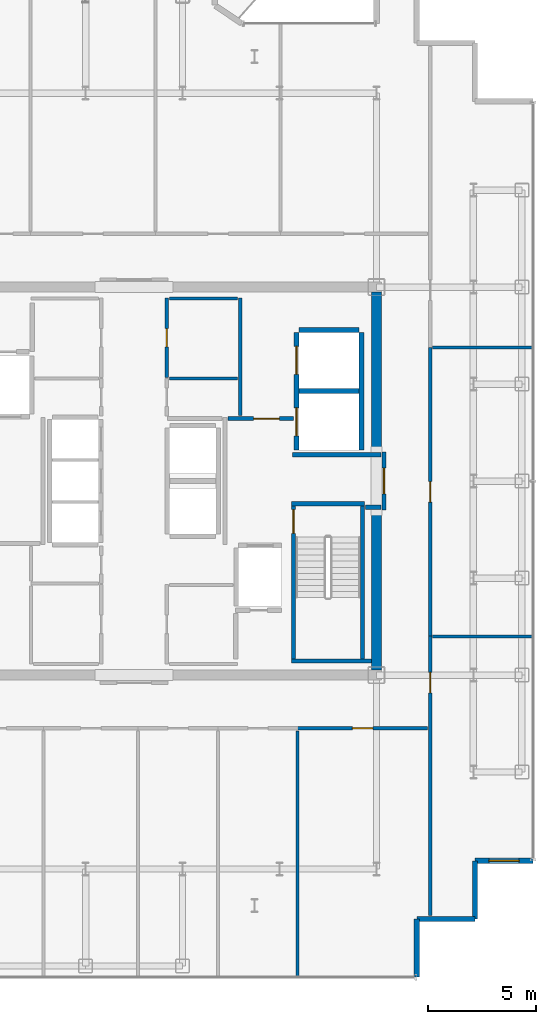
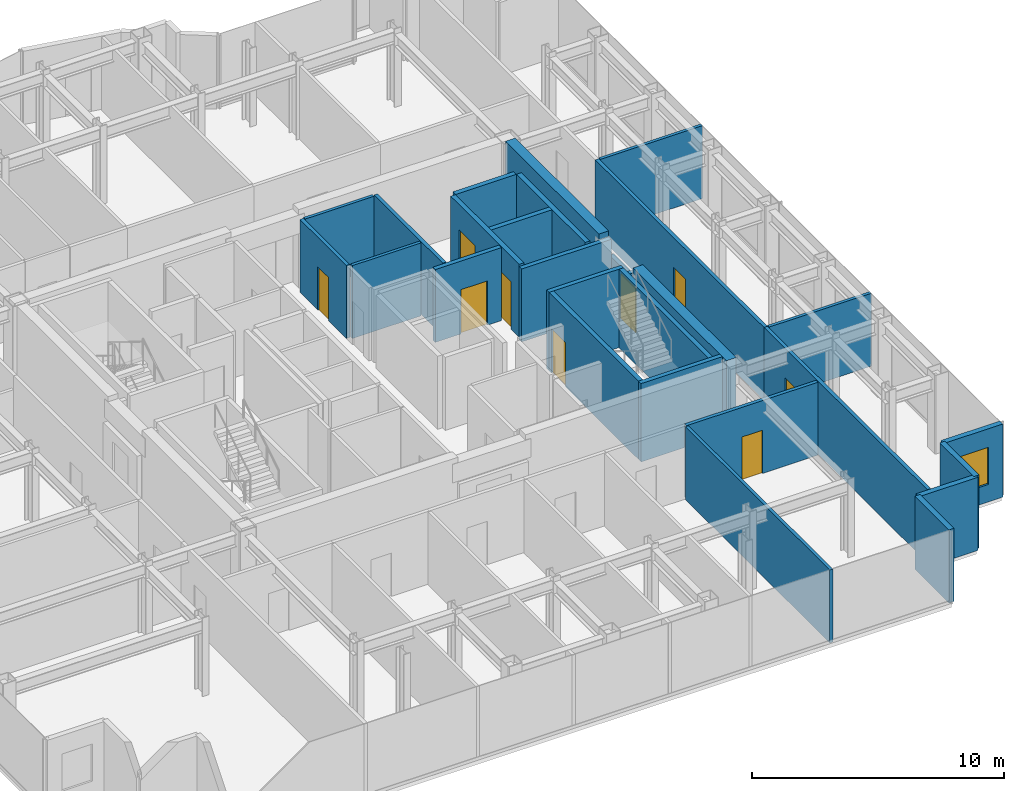
# One storey, part 15 of 18: 28 walls, 9 doors, 1 window, 10 openings.
"""IFC4 building model written with IfcOpenShell, lengths in metres."""

from ifc_helpers import new_model, si_unit, direction, frame, frame_2d, origin, place, context, subcontext, project, spatial, rectangle, extrude, source, transform, mapped, material, layer, layer_set, type_object, element, fill, save


model = new_model("IFC4")

# Units and contexts
model_context = context("Model", 3, precision=1e-05, world=origin(), true_north=direction((0.0, 1.0)))
body_context = subcontext(model_context, "Body", "Model", "MODEL_VIEW")
ifc_project = project(units=[si_unit("LENGTHUNIT", "METRE"), si_unit("AREAUNIT", "SQUARE_METRE"), si_unit("VOLUMEUNIT", "CUBIC_METRE"), si_unit("PLANEANGLEUNIT", "RADIAN"), si_unit("MASSUNIT", "GRAM", prefix="KILO")], contexts=[model_context])

# Site, building, storey
site_placement = place(None, origin())
site = spatial("IfcSite", under=ifc_project, at=site_placement, CompositionType="ELEMENT")
building_placement = place(site_placement, origin())
building = spatial("IfcBuilding", under=site, at=building_placement, Name="Nefas-Gora Pilgrimage Tower", CompositionType="ELEMENT")
storey_placement = place(building_placement, frame((0.0, 0.0, 283.60009765625)))
storey = spatial("IfcBuildingStorey", under=building, at=storey_placement, Name="L71", CompositionType="ELEMENT", Elevation=283.60009765625)

# Walls
ifc_material_1 = material(Name="Concrete C50/60", Category="concrete")
ifc_layer_1 = layer(ifc_material_1, 0.449951171875)
ifc_layer_set_1 = layer_set([ifc_layer_1], Name="Concrete C50/60")
wall_type_1 = type_object("IfcWallType", Name="SW-CORE-450", PredefinedType="SHEAR", material=ifc_layer_set_1)
shared_shape_1 = source(origin(), body_context, "Body", "SweptSolid", [
    extrude(rectangle(XDim=7.4248046875, YDim=0.449951171875, at=frame_2d((3.71240234375, 0.0))), origin(), (0.0, 0.0, 1.0), 3.7998046875),
])
for number, where, z_axis, x_axis, name in (
    (1, (11.25, -8.77490234375, 0.0), (0.0, 0.0, 1.0), (0.0, 1.0, 0.0), "L71 Core Shear Wall E-South"),
    (2, (11.25, 1.35009765625, 0.0), (0.0, 0.0, 1.0), (0.0, 1.0, 0.0), "L71 Core Shear Wall E-North"),
):
    element("IfcWall", number, at=place(storey_placement, frame(where, z_axis=z_axis, x_axis=x_axis)), inside=storey, type_object=wall_type_1, Name=name, PredefinedType="SHEAR", context=body_context, shape_type="MappedRepresentation", body=[
        mapped(shared_shape_1, transform((0.0, 0.0, 0.0), x_axis=(1.0, 0.0, 0.0), y_axis=(0.0, 1.0, 0.0), z_axis=(0.0, 0.0, 1.0), scale=1.0)),
    ])

# Wall, opening, window
ifc_material_2 = material(Name="Precast concrete C45/55", Category="concrete")
ifc_layer_2 = layer(ifc_material_2, 0.239990234375)
ifc_layer_set_2 = layer_set([ifc_layer_2], Name="Precast concrete C45/55")
wall_type_2 = type_object("IfcWallType", Name="EW-SERR-240", PredefinedType="SHEAR", material=ifc_layer_set_2)
shared_shape_2 = source(origin(), body_context, "Body", "SweptSolid", [
    extrude(rectangle(XDim=2.699951171875, YDim=0.239990234375, at=frame_2d((1.35009765625, 0.0))), origin(), (0.0, 0.0, 1.0), 3.5498046875),
])
wall_1_placement = place(storey_placement, frame((15.820068359375, -17.6201171875, 0.0), z_axis=(0.0, 0.0, 1.0), x_axis=(1.0, 0.0, 0.0)))
wall_1 = element("IfcWall", 3, at=wall_1_placement, inside=storey, type_object=wall_type_2, Name="L71 Serrated Corner Shear Pier Wall 1", PredefinedType="SHEAR", context=body_context, shape_type="MappedRepresentation", body=[
    mapped(shared_shape_2, transform((0.0, 0.0, 0.0), x_axis=(1.0, 0.0, 0.0), y_axis=(0.0, 1.0, 0.0), z_axis=(0.0, 0.0, 1.0), scale=1.0)),
])
opening_1_placement = place(wall_1_placement, frame((0.64990234375, 0.0, 0.85009765625)))
opening_1 = element("IfcOpeningElement", 4, at=opening_1_placement, cuts=wall_1, Name="Opening W-V2", PredefinedType="OPENING", context=body_context, shape_type="SweptSolid", body=[
    extrude(rectangle(XDim=1.39990234375, YDim=1.800048828125, at=frame_2d((0.699951171875, 0.89990234375))), frame((0.0, 0.1298828125, 0.0), z_axis=(0.0, -1.0, 0.0), x_axis=(1.0, 0.0, 0.0)), (0.0, 0.0, 1.0), 0.260009765625),
])
ifc_material_3 = material(Name="Dark ceramic-fritted operable aluminium-glass window", Category="aluminium")
window_type = type_object("IfcWindowType", Name="WIN-VENT-1400x1800", PartitioningType="SINGLE_PANEL", PredefinedType="WINDOW", material=ifc_material_3)
shared_shape_3 = source(origin(), body_context, "Body", "SweptSolid", [
    extrude(rectangle(XDim=1.39990234375, YDim=1.800048828125, at=frame_2d((0.699951171875, 0.89990234375))), frame((0.0, 0.030029296875, 0.0), z_axis=(0.0, -1.0, 0.0), x_axis=(1.0, 0.0, 0.0)), (0.0, 0.0, 1.0), 0.06005859375),
])
window_placement = place(opening_1_placement, origin())
window = element("IfcWindow", 5, at=window_placement, inside=storey, type_object=window_type, Name="L71 Operable Parallel-Outswing Window 1", OverallHeight=1.800048828125, OverallWidth=1.39990234375, PartitioningType="SINGLE_PANEL", PredefinedType="WINDOW", context=body_context, shape_type="MappedRepresentation", body=[
    mapped(shared_shape_3, transform((0.0, 0.0, 0.0), x_axis=(1.0, 0.0, 0.0), y_axis=(0.0, 1.0, 0.0), z_axis=(0.0, 0.0, 1.0), scale=1.0)),
])
fill(opening_1, window)

# Walls
for number, where, z_axis, x_axis, name in (
    (6, (13.1201171875, -23.02001953125, 0.0), (0.0, 0.0, 1.0), (0.0, 1.0, 0.0), "L71 Serrated Corner Shear Pier Wall 25"),
    (7, (13.1201171875, -20.320068359375, 0.0), (0.0, 0.0, 1.0), (1.0, 0.0, 0.0), "L71 Serrated Corner Shear Pier Wall 26"),
    (8, (15.820068359375, -20.320068359375, 0.0), (0.0, 0.0, 1.0), (0.0, 1.0, 0.0), "L71 Serrated Corner Shear Pier Wall 27"),
):
    element("IfcWall", number, at=place(storey_placement, frame(where, z_axis=z_axis, x_axis=x_axis)), inside=storey, type_object=wall_type_2, Name=name, PredefinedType="SHEAR", context=body_context, shape_type="MappedRepresentation", body=[
        mapped(shared_shape_2, transform((0.0, 0.0, 0.0), x_axis=(1.0, 0.0, 0.0), y_axis=(0.0, 1.0, 0.0), z_axis=(0.0, 0.0, 1.0), scale=1.0)),
    ])
ifc_material_4 = material(Name="Concrete C45/55", Category="concrete")
ifc_layer_3 = layer(ifc_material_4, 0.199951171875)
ifc_layer_set_3 = layer_set([ifc_layer_3], Name="Concrete C45/55")
wall_type_3 = type_object("IfcWallType", Name="IW-STAIR-200", PredefinedType="SOLIDWALL", material=ifc_layer_set_3)
shared_shape_4 = source(origin(), body_context, "Body", "SweptSolid", [
    extrude(rectangle(XDim=3.39990234375, YDim=0.199951171875, at=frame_2d((1.699951171875, 0.0))), origin(), (0.0, 0.0, 1.0), 3.7998046875),
])
wall_2_placement = place(storey_placement, frame((7.300048828125, -1.050048828125, 0.0), z_axis=(0.0, 0.0, 1.0), x_axis=(1.0, 0.0, 0.0)))
element("IfcWall", 9, at=wall_2_placement, inside=storey, type_object=wall_type_3, Name="L71 Stairwell Shear Wall ST-02-near", PredefinedType="SOLIDWALL", context=body_context, shape_type="MappedRepresentation", body=[
    mapped(shared_shape_4, transform((0.0, 0.0, 0.0), x_axis=(1.0, 0.0, 0.0), y_axis=(0.0, 1.0, 0.0), z_axis=(0.0, 0.0, 1.0), scale=1.0)),
])

# Wall, opening, door
shared_shape_5 = source(origin(), body_context, "Body", "SweptSolid", [
    extrude(rectangle(XDim=7.10009765625, YDim=0.199951171875, at=frame_2d((3.550048828125, 0.0))), origin(), (0.0, 0.0, 1.0), 3.7998046875),
])
wall_3_placement = place(storey_placement, frame((7.39990234375, -1.14990234375, 0.0), z_axis=(0.0, 0.0, 1.0), x_axis=(0.0, -1.0, 0.0)))
wall_3 = element("IfcWall", 10, at=wall_3_placement, inside=storey, type_object=wall_type_3, Name="L71 Stairwell Shear Wall ST-02-left", PredefinedType="SOLIDWALL", context=body_context, shape_type="MappedRepresentation", body=[
    mapped(shared_shape_5, transform((0.0, 0.0, 0.0), x_axis=(1.0, 0.0, 0.0), y_axis=(0.0, 1.0, 0.0), z_axis=(0.0, 0.0, 1.0), scale=1.0)),
])
opening_2_placement = place(wall_3_placement, frame((0.179931640625, 0.0, 0.0)))
opening_2 = element("IfcOpeningElement", 11, at=opening_2_placement, cuts=wall_3, Name="Opening ID-ST1", PredefinedType="OPENING", context=body_context, shape_type="SweptSolid", body=[
    extrude(rectangle(XDim=1.10009765625, YDim=2.14990234375, at=frame_2d((0.550048828125, 1.074951171875))), frame((0.0, 0.10986328125, 0.0), z_axis=(0.0, -1.0, 0.0), x_axis=(1.0, 0.0, 0.0)), (0.0, 0.0, 1.0), 0.219970703125),
])
ifc_material_5 = material(Name="Painted galvanised steel fire stair door", Category="steel")
door_type_1 = type_object("IfcDoorType", Name="DR-INT-STAIR-1100", OperationType="NOTDEFINED", PredefinedType="DOOR", material=ifc_material_5)
shared_shape_6 = source(origin(), body_context, "Body", "SweptSolid", [
    extrude(rectangle(XDim=1.10009765625, YDim=2.14990234375, at=frame_2d((0.550048828125, 1.074951171875))), frame((0.0, 0.02490234375, 0.0), z_axis=(0.0, -1.0, 0.0), x_axis=(1.0, 0.0, 0.0)), (0.0, 0.0, 1.0), 0.050048828125),
])
door_1_placement = place(opening_2_placement, origin())
door_1 = element("IfcDoor", 12, at=door_1_placement, inside=storey, type_object=door_type_1, Name="L71 Protected Exit Stair Door ST-02", OperationType="SINGLE_SWING_RIGHT", OverallHeight=2.14990234375, OverallWidth=1.10009765625, PredefinedType="DOOR", context=body_context, shape_type="MappedRepresentation", body=[
    mapped(shared_shape_6, transform((0.0, 0.0, 0.0), x_axis=(1.0, 0.0, 0.0), y_axis=(0.0, 1.0, 0.0), z_axis=(0.0, 0.0, 1.0), scale=1.0)),
])
fill(opening_2, door_1)

# Walls
wall_4_placement = place(storey_placement, frame((10.60009765625, -1.14990234375, 0.0), z_axis=(0.0, 0.0, 1.0), x_axis=(0.0, -1.0, 0.0)))
element("IfcWall", 13, at=wall_4_placement, inside=storey, type_object=wall_type_3, Name="L71 Stairwell Shear Wall ST-02-right", PredefinedType="SOLIDWALL", context=body_context, shape_type="MappedRepresentation", body=[
    mapped(shared_shape_5, transform((0.0, 0.0, 0.0), x_axis=(1.0, 0.0, 0.0), y_axis=(0.0, 1.0, 0.0), z_axis=(0.0, 0.0, 1.0), scale=1.0)),
])
shared_shape_7 = source(origin(), body_context, "Body", "SweptSolid", [
    extrude(rectangle(XDim=3.72998046875, YDim=0.199951171875, at=frame_2d((1.864990234375, 0.0))), origin(), (0.0, 0.0, 1.0), 3.7998046875),
])
wall_5_placement = place(storey_placement, frame((7.300048828125, -8.35009765625, 0.0), z_axis=(0.0, 0.0, 1.0), x_axis=(1.0, 0.0, 0.0)))
element("IfcWall", 14, at=wall_5_placement, inside=storey, type_object=wall_type_3, Name="L71 Stairwell Shear Wall ST-02-far", PredefinedType="SOLIDWALL", context=body_context, shape_type="MappedRepresentation", body=[
    mapped(shared_shape_7, transform((0.0, 0.0, 0.0), x_axis=(1.0, 0.0, 0.0), y_axis=(0.0, 1.0, 0.0), z_axis=(0.0, 0.0, 1.0), scale=1.0)),
])

# Wall, openings, doors
ifc_material_6 = material(Name="Concrete C40/50", Category="concrete")
ifc_layer_4 = layer(ifc_material_6, 0.219970703125)
ifc_layer_set_4 = layer_set([ifc_layer_4], Name="Concrete C40/50")
wall_type_4 = type_object("IfcWallType", Name="IW-SHAFT-220", PredefinedType="SOLIDWALL", material=ifc_layer_set_4)
shared_shape_8 = source(origin(), body_context, "Body", "SweptSolid", [
    extrude(rectangle(XDim=5.449951171875, YDim=0.219970703125, at=frame_2d((2.72509765625, 0.0))), origin(), (0.0, 0.0, 1.0), 3.534912109375),
])
wall_6_placement = place(storey_placement, frame((7.5400390625, 6.89990234375, 0.0), z_axis=(0.0, 0.0, 1.0), x_axis=(0.0, -1.0, 0.0)))
wall_6 = element("IfcWall", 15, at=wall_6_placement, inside=storey, type_object=wall_type_4, Name="L71 Hoistway Wall SL-01-02-W", PredefinedType="SOLIDWALL", context=body_context, shape_type="MappedRepresentation", body=[
    mapped(shared_shape_8, transform((0.0, 0.0, 0.0), x_axis=(1.0, 0.0, 0.0), y_axis=(0.0, 1.0, 0.0), z_axis=(0.0, 0.0, 1.0), scale=1.0)),
])
opening_3_placement = place(wall_6_placement, frame((3.5, 0.0, 0.0)))
opening_3 = element("IfcOpeningElement", 16, at=opening_3_placement, cuts=wall_6, Name="Opening LD-SV", PredefinedType="OPENING", context=body_context, shape_type="SweptSolid", body=[
    extrude(rectangle(XDim=1.300048828125, YDim=2.300048828125, at=frame_2d((0.64990234375, 1.14990234375))), frame((0.0, 0.119873046875, 0.0), z_axis=(0.0, -1.0, 0.0), x_axis=(1.0, 0.0, 0.0)), (0.0, 0.0, 1.0), 0.239990234375),
])
opening_4_placement = place(wall_6_placement, frame((0.64990234375, 0.0, 0.0)))
opening_4 = element("IfcOpeningElement", 17, at=opening_4_placement, cuts=wall_6, Name="Opening LD-SV", PredefinedType="OPENING", context=body_context, shape_type="SweptSolid", body=[
    extrude(rectangle(XDim=1.300048828125, YDim=2.300048828125, at=frame_2d((0.64990234375, 1.14990234375))), frame((0.0, 0.119873046875, 0.0), z_axis=(0.0, -1.0, 0.0), x_axis=(1.0, 0.0, 0.0)), (0.0, 0.0, 1.0), 0.239990234375),
])
ifc_material_7 = material(Name="Heavy goods sliding lift landing door")
door_type_2 = type_object("IfcDoorType", Name="DR-LIFT-SERV-1300", OperationType="SLIDING_TO_RIGHT", PredefinedType="DOOR", material=ifc_material_7)
shared_shape_9 = source(origin(), body_context, "Body", "SweptSolid", [
    extrude(rectangle(XDim=1.300048828125, YDim=2.300048828125, at=frame_2d((0.64990234375, 1.14990234375))), frame((0.0, 0.02490234375, 0.0), z_axis=(0.0, -1.0, 0.0), x_axis=(1.0, 0.0, 0.0)), (0.0, 0.0, 1.0), 0.050048828125),
])
door_2_placement = place(opening_3_placement, origin())
door_2 = element("IfcDoor", 18, at=door_2_placement, inside=storey, type_object=door_type_2, Name="L71 Sliding Lift Landing Door SL-01", OperationType="SLIDING_TO_RIGHT", OverallHeight=2.300048828125, OverallWidth=1.300048828125, PredefinedType="DOOR", context=body_context, shape_type="MappedRepresentation", body=[
    mapped(shared_shape_9, transform((0.0, 0.0, 0.0), x_axis=(1.0, 0.0, 0.0), y_axis=(0.0, 1.0, 0.0), z_axis=(0.0, 0.0, 1.0), scale=1.0)),
])
fill(opening_3, door_2)
door_3_placement = place(opening_4_placement, origin())
door_3 = element("IfcDoor", 19, at=door_3_placement, inside=storey, type_object=door_type_2, Name="L71 Sliding Lift Landing Door SL-02", OperationType="SLIDING_TO_RIGHT", OverallHeight=2.300048828125, OverallWidth=1.300048828125, PredefinedType="DOOR", context=body_context, shape_type="MappedRepresentation", body=[
    mapped(shared_shape_9, transform((0.0, 0.0, 0.0), x_axis=(1.0, 0.0, 0.0), y_axis=(0.0, 1.0, 0.0), z_axis=(0.0, 0.0, 1.0), scale=1.0)),
])
fill(opening_4, door_3)

# Walls
wall_7_placement = place(storey_placement, frame((10.56005859375, 1.449951171875, 0.0), z_axis=(0.0, 0.0, 1.0), x_axis=(0.0, 1.0, 0.0)))
element("IfcWall", 20, at=wall_7_placement, inside=storey, type_object=wall_type_4, Name="L71 Hoistway Wall SL-01-02-E", PredefinedType="SOLIDWALL", context=body_context, shape_type="MappedRepresentation", body=[
    mapped(shared_shape_8, transform((0.0, 0.0, 0.0), x_axis=(1.0, 0.0, 0.0), y_axis=(0.0, 1.0, 0.0), z_axis=(0.0, 0.0, 1.0), scale=1.0)),
])
shared_shape_10 = source(origin(), body_context, "Body", "SweptSolid", [
    extrude(rectangle(XDim=2.780029296875, YDim=0.219970703125, at=frame_2d((1.39013671875, 0.0))), origin(), (0.0, 0.0, 1.0), 3.534912109375),
])
for number, where, z_axis, x_axis, name in (
    (21, (7.659912109375, 4.175048828125, 0.0), (0.0, 0.0, 1.0), (1.0, 0.0, 0.0), "L71 Hoistway Wall SL-01-02-DIV"),
    (22, (10.43994140625, 7.010009765625, 0.0), (0.0, 0.0, 1.0), (-1.0, 0.0, 0.0), "L71 Hoistway Wall SL-02-N"),
):
    element("IfcWall", number, at=place(storey_placement, frame(where, z_axis=z_axis, x_axis=x_axis)), inside=storey, type_object=wall_type_4, Name=name, PredefinedType="SOLIDWALL", context=body_context, shape_type="MappedRepresentation", body=[
        mapped(shared_shape_10, transform((0.0, 0.0, 0.0), x_axis=(1.0, 0.0, 0.0), y_axis=(0.0, 1.0, 0.0), z_axis=(0.0, 0.0, 1.0), scale=1.0)),
    ])
ifc_material_8 = material(Name="Gypsum fire-rated shaftwall")
ifc_layer_5 = layer(ifc_material_8, 0.199951171875)
ifc_layer_set_5 = layer_set([ifc_layer_5], Name="Gypsum fire-rated shaftwall")
wall_type_5 = type_object("IfcWallType", Name="IW-FFLOB-200", PredefinedType="PARTITIONING", material=ifc_layer_set_5)
shared_shape_11 = source(origin(), body_context, "Body", "SweptSolid", [
    extrude(rectangle(XDim=0.719970703125, YDim=0.199951171875, at=frame_2d((0.35986328125, 0.0))), origin(), (0.0, 0.0, 1.0), 3.534912109375),
])
wall_8_placement = place(storey_placement, frame((10.739990234375, -1.219970703125, 0.0), z_axis=(0.0, 0.0, 1.0), x_axis=(1.0, 0.0, 0.0)))
element("IfcWall", 23, at=wall_8_placement, inside=storey, type_object=wall_type_5, Name="L71 FF Lobby East Throat S Wall 15", PredefinedType="PARTITIONING", context=body_context, shape_type="MappedRepresentation", body=[
    mapped(shared_shape_11, transform((0.0, 0.0, 0.0), x_axis=(1.0, 0.0, 0.0), y_axis=(0.0, 1.0, 0.0), z_axis=(0.0, 0.0, 1.0), scale=1.0)),
])

# Wall, opening, door
shared_shape_12 = source(origin(), body_context, "Body", "SweptSolid", [
    extrude(rectangle(XDim=3.039794921875, YDim=0.199951171875, at=frame_2d((1.52001953125, 0.0))), origin(), (0.0, 0.0, 1.0), 3.534912109375),
])
wall_9_placement = place(storey_placement, frame((4.360107421875, 2.89990234375, 0.0), z_axis=(0.0, 0.0, 1.0), x_axis=(1.0, 0.0, 0.0)))
wall_9 = element("IfcWall", 24, at=wall_9_placement, inside=storey, type_object=wall_type_5, Name="L71 FF Lobby East North Wall Wall 13", PredefinedType="PARTITIONING", context=body_context, shape_type="MappedRepresentation", body=[
    mapped(shared_shape_12, transform((0.0, 0.0, 0.0), x_axis=(1.0, 0.0, 0.0), y_axis=(0.0, 1.0, 0.0), z_axis=(0.0, 0.0, 1.0), scale=1.0)),
])
opening_5_placement = place(wall_9_placement, frame((1.18994140625, 0.0, 0.0)))
opening_5 = element("IfcOpeningElement", 25, at=opening_5_placement, cuts=wall_9, Name="Opening ID-PL1", PredefinedType="OPENING", context=body_context, shape_type="SweptSolid", body=[
    extrude(rectangle(XDim=1.199951171875, YDim=2.14990234375, at=frame_2d((0.60009765625, 1.074951171875))), frame((0.0, 0.10986328125, 0.0), z_axis=(0.0, -1.0, 0.0), x_axis=(1.0, 0.0, 0.0)), (0.0, 0.0, 1.0), 0.219970703125),
])
ifc_material_9 = material(Name="Heavy-duty steel plant room fire door", Category="steel")
door_type_3 = type_object("IfcDoorType", Name="DR-INT-PLANT-1200", OperationType="NOTDEFINED", PredefinedType="DOOR", material=ifc_material_9)
shared_shape_13 = source(origin(), body_context, "Body", "SweptSolid", [
    extrude(rectangle(XDim=1.199951171875, YDim=2.14990234375, at=frame_2d((0.60009765625, 1.074951171875))), frame((0.0, 0.02490234375, 0.0), z_axis=(0.0, -1.0, 0.0), x_axis=(1.0, 0.0, 0.0)), (0.0, 0.0, 1.0), 0.050048828125),
])
door_4_placement = place(opening_5_placement, origin())
door_4 = element("IfcDoor", 26, at=door_4_placement, inside=storey, type_object=door_type_3, Name="L71 Service Lift Lobby Door Door 5", OperationType="SINGLE_SWING_LEFT", OverallHeight=2.14990234375, OverallWidth=1.199951171875, PredefinedType="DOOR", context=body_context, shape_type="MappedRepresentation", body=[
    mapped(shared_shape_13, transform((0.0, 0.0, 0.0), x_axis=(1.0, 0.0, 0.0), y_axis=(0.0, 1.0, 0.0), z_axis=(0.0, 0.0, 1.0), scale=1.0)),
])
fill(opening_5, door_4)

# Walls
shared_shape_14 = source(origin(), body_context, "Body", "SweptSolid", [
    extrude(rectangle(XDim=4.10986328125, YDim=0.199951171875, at=frame_2d((2.054931640625, 0.0))), origin(), (0.0, 0.0, 1.0), 3.534912109375),
])
wall_10_placement = place(storey_placement, frame((7.35009765625, 1.219970703125, 0.0), z_axis=(0.0, 0.0, 1.0), x_axis=(1.0, 0.0, 0.0)))
element("IfcWall", 27, at=wall_10_placement, inside=storey, type_object=wall_type_5, Name="L71 FF Lobby East Throat N Wall 14", PredefinedType="PARTITIONING", context=body_context, shape_type="MappedRepresentation", body=[
    mapped(shared_shape_14, transform((0.0, 0.0, 0.0), x_axis=(1.0, 0.0, 0.0), y_axis=(0.0, 1.0, 0.0), z_axis=(0.0, 0.0, 1.0), scale=1.0)),
])
ifc_material_10 = material(Name="Gypsum twin-stud partition")
ifc_layer_6 = layer(ifc_material_10, 0.139892578125)
ifc_layer_set_6 = layer_set([ifc_layer_6], Name="Gypsum twin-stud partition")
wall_type_6 = type_object("IfcWallType", Name="IW-UNIT-140", PredefinedType="PARTITIONING", material=ifc_layer_set_6)
shared_shape_15 = source(origin(), body_context, "Body", "SweptSolid", [
    extrude(rectangle(XDim=3.150146484375, YDim=0.139892578125, at=frame_2d((1.5751953125, 0.0))), origin(), (0.0, 0.0, 1.0), 3.534912109375),
])
for number, where, z_axis, x_axis, name in (
    (28, (1.639892578125, 4.75, 0.0), (0.0, 0.0, 1.0), (1.0, 0.0, 0.0), "L71 Clean Blanket and Robe Store Partition Wall 24"),
    (29, (1.639892578125, 8.47998046875, 0.0), (0.0, 0.0, 1.0), (1.0, 0.0, 0.0), "L71 Amenity Supply Store Partition Wall 26"),
):
    element("IfcWall", number, at=place(storey_placement, frame(where, z_axis=z_axis, x_axis=x_axis)), inside=storey, type_object=wall_type_6, Name=name, PredefinedType="PARTITIONING", context=body_context, shape_type="MappedRepresentation", body=[
        mapped(shared_shape_15, transform((0.0, 0.0, 0.0), x_axis=(1.0, 0.0, 0.0), y_axis=(0.0, 1.0, 0.0), z_axis=(0.0, 0.0, 1.0), scale=1.0)),
    ])

# Wall, opening, door
ifc_material_11 = material(Name="Gypsum acoustic stud partition")
ifc_layer_7 = layer(ifc_material_11, 0.159912109375)
ifc_layer_set_7 = layer_set([ifc_layer_7], Name="Gypsum acoustic stud partition")
wall_type_7 = type_object("IfcWallType", Name="IW-CORR-160", PredefinedType="PARTITIONING", material=ifc_layer_set_7)
shared_shape_16 = source(origin(), body_context, "Body", "SweptSolid", [
    extrude(rectangle(XDim=6.025146484375, YDim=0.159912109375, at=frame_2d((3.0126953125, 0.0))), origin(), (0.0, 0.0, 1.0), 3.534912109375),
])
wall_11_placement = place(storey_placement, frame((7.594970703125, -11.469970703125, 0.0), z_axis=(0.0, 0.0, 1.0), x_axis=(1.0, 0.0, 0.0)))
wall_11 = element("IfcWall", 30, at=wall_11_placement, inside=storey, type_object=wall_type_7, Name="L71 Pilgrim Contemplative Lounge Partition Wall 71", PredefinedType="PARTITIONING", context=body_context, shape_type="MappedRepresentation", body=[
    mapped(shared_shape_16, transform((0.0, 0.0, 0.0), x_axis=(1.0, 0.0, 0.0), y_axis=(0.0, 1.0, 0.0), z_axis=(0.0, 0.0, 1.0), scale=1.0)),
])
opening_6_placement = place(wall_11_placement, frame((2.53759765625, 0.0, 0.0)))
opening_6 = element("IfcOpeningElement", 31, at=opening_6_placement, cuts=wall_11, Name="Opening ID-GR1", PredefinedType="OPENING", context=body_context, shape_type="SweptSolid", body=[
    extrude(rectangle(XDim=0.949951171875, YDim=2.10009765625, at=frame_2d((0.47509765625, 1.050048828125))), frame((0.0, 0.08984375, 0.0), z_axis=(0.0, -1.0, 0.0), x_axis=(1.0, 0.0, 0.0)), (0.0, 0.0, 1.0), 0.179931640625),
])
ifc_material_12 = material(Name="Solid core oak fire-rated guest entrance door")
door_type_4 = type_object("IfcDoorType", Name="DR-INT-GUEST-950", OperationType="NOTDEFINED", PredefinedType="DOOR", material=ifc_material_12)
shared_shape_17 = source(origin(), body_context, "Body", "SweptSolid", [
    extrude(rectangle(XDim=0.949951171875, YDim=2.10009765625, at=frame_2d((0.47509765625, 1.050048828125))), frame((0.0, 0.02490234375, 0.0), z_axis=(0.0, -1.0, 0.0), x_axis=(1.0, 0.0, 0.0)), (0.0, 0.0, 1.0), 0.050048828125),
])
door_5_placement = place(opening_6_placement, origin())
door_5 = element("IfcDoor", 32, at=door_5_placement, inside=storey, type_object=door_type_4, Name="L71 Pilgrim Contemplative Lounge Door 34", OperationType="SINGLE_SWING_RIGHT", OverallHeight=2.10009765625, OverallWidth=0.949951171875, PredefinedType="DOOR", context=body_context, shape_type="MappedRepresentation", body=[
    mapped(shared_shape_17, transform((0.0, 0.0, 0.0), x_axis=(1.0, 0.0, 0.0), y_axis=(0.0, 1.0, 0.0), z_axis=(0.0, 0.0, 1.0), scale=1.0)),
])
fill(opening_6, door_5)

shared_shape_18 = source(origin(), body_context, "Body", "SweptSolid", [
    extrude(rectangle(XDim=13.41015625, YDim=0.159912109375, at=frame_2d((6.705078125, 0.0))), origin(), (0.0, 0.0, 1.0), 3.534912109375),
])
wall_12_placement = place(storey_placement, frame((13.739990234375, -7.205078125, 0.0), z_axis=(0.0, 0.0, 1.0), x_axis=(0.0, 1.0, 0.0)))
wall_12 = element("IfcWall", 33, at=wall_12_placement, inside=storey, type_object=wall_type_7, Name="L71 Pilgrim Fellowship Seminar Room Partition Wall 50", PredefinedType="PARTITIONING", context=body_context, shape_type="MappedRepresentation", body=[
    mapped(shared_shape_18, transform((0.0, 0.0, 0.0), x_axis=(1.0, 0.0, 0.0), y_axis=(0.0, 1.0, 0.0), z_axis=(0.0, 0.0, 1.0), scale=1.0)),
])
opening_7_placement = place(wall_12_placement, frame((6.22998046875, 0.0, 0.0)))
opening_7 = element("IfcOpeningElement", 34, at=opening_7_placement, cuts=wall_12, Name="Opening ID-GR1", PredefinedType="OPENING", context=body_context, shape_type="SweptSolid", body=[
    extrude(rectangle(XDim=0.949951171875, YDim=2.10009765625, at=frame_2d((0.47509765625, 1.050048828125))), frame((0.0, 0.08984375, 0.0), z_axis=(0.0, -1.0, 0.0), x_axis=(1.0, 0.0, 0.0)), (0.0, 0.0, 1.0), 0.179931640625),
])
door_6_placement = place(opening_7_placement, origin())
door_6 = element("IfcDoor", 35, at=door_6_placement, inside=storey, type_object=door_type_4, Name="L71 Pilgrim Fellowship Seminar Room Door 22", OperationType="SINGLE_SWING_RIGHT", OverallHeight=2.10009765625, OverallWidth=0.949951171875, PredefinedType="DOOR", context=body_context, shape_type="MappedRepresentation", body=[
    mapped(shared_shape_17, transform((0.0, 0.0, 0.0), x_axis=(1.0, 0.0, 0.0), y_axis=(0.0, 1.0, 0.0), z_axis=(0.0, 0.0, 1.0), scale=1.0)),
])
fill(opening_7, door_6)

# Wall
shared_shape_19 = source(origin(), body_context, "Body", "SweptSolid", [
    extrude(rectangle(XDim=5.449951171875, YDim=0.159912109375, at=frame_2d((2.72509765625, 0.0))), origin(), (0.0, 0.0, 1.0), 3.534912109375),
])
wall_13_placement = place(storey_placement, frame((4.919921875, 3.0400390625, 0.0), z_axis=(0.0, 0.0, 1.0), x_axis=(0.0, 1.0, 0.0)))
element("IfcWall", 36, at=wall_13_placement, inside=storey, type_object=wall_type_7, Name="L71 Service Lift Lobby West Wall Wall 18", PredefinedType="PARTITIONING", context=body_context, shape_type="MappedRepresentation", body=[
    mapped(shared_shape_19, transform((0.0, 0.0, 0.0), x_axis=(1.0, 0.0, 0.0), y_axis=(0.0, 1.0, 0.0), z_axis=(0.0, 0.0, 1.0), scale=1.0)),
])

# Wall, opening, door
shared_shape_20 = source(origin(), body_context, "Body", "SweptSolid", [
    extrude(rectangle(XDim=3.679931640625, YDim=0.159912109375, at=frame_2d((1.83984375, 0.0))), origin(), (0.0, 0.0, 1.0), 3.534912109375),
])
wall_14_placement = place(storey_placement, frame((1.52001953125, 4.81005859375, 0.0), z_axis=(0.0, 0.0, 1.0), x_axis=(0.0, 1.0, 0.0)))
wall_14 = element("IfcWall", 37, at=wall_14_placement, inside=storey, type_object=wall_type_7, Name="L71 Amenity Supply Store Wall 25", PredefinedType="PARTITIONING", context=body_context, shape_type="MappedRepresentation", body=[
    mapped(shared_shape_20, transform((0.0, 0.0, 0.0), x_axis=(1.0, 0.0, 0.0), y_axis=(0.0, 1.0, 0.0), z_axis=(0.0, 0.0, 1.0), scale=1.0)),
])
opening_8_placement = place(wall_14_placement, frame((1.4150390625, 0.0, 0.0)))
opening_8 = element("IfcOpeningElement", 38, at=opening_8_placement, cuts=wall_14, Name="Opening ID-BT1", PredefinedType="OPENING", context=body_context, shape_type="SweptSolid", body=[
    extrude(rectangle(XDim=0.85009765625, YDim=2.10009765625, at=frame_2d((0.425048828125, 1.050048828125))), frame((0.0, 0.08984375, 0.0), z_axis=(0.0, -1.0, 0.0), x_axis=(1.0, 0.0, 0.0)), (0.0, 0.0, 1.0), 0.179931640625),
])
ifc_material_13 = material(Name="Moisture-resistant fire-rated timber door", Category="wood")
door_type_5 = type_object("IfcDoorType", Name="DR-INT-BATH-850", OperationType="NOTDEFINED", PredefinedType="DOOR", material=ifc_material_13)
shared_shape_21 = source(origin(), body_context, "Body", "SweptSolid", [
    extrude(rectangle(XDim=0.85009765625, YDim=2.10009765625, at=frame_2d((0.425048828125, 1.050048828125))), frame((0.0, 0.02490234375, 0.0), z_axis=(0.0, -1.0, 0.0), x_axis=(1.0, 0.0, 0.0)), (0.0, 0.0, 1.0), 0.050048828125),
])
door_7_placement = place(opening_8_placement, origin())
door_7 = element("IfcDoor", 39, at=door_7_placement, inside=storey, type_object=door_type_5, Name="L71 Amenity Supply Store Door 11", OperationType="SINGLE_SWING_LEFT", OverallHeight=2.10009765625, OverallWidth=0.85009765625, PredefinedType="DOOR", context=body_context, shape_type="MappedRepresentation", body=[
    mapped(shared_shape_21, transform((0.0, 0.0, 0.0), x_axis=(1.0, 0.0, 0.0), y_axis=(0.0, 1.0, 0.0), z_axis=(0.0, 0.0, 1.0), scale=1.0)),
])
fill(opening_8, door_7)

shared_shape_22 = source(origin(), body_context, "Body", "SweptSolid", [
    extrude(rectangle(XDim=2.7001953125, YDim=0.199951171875, at=frame_2d((1.35009765625, 0.0))), origin(), (0.0, 0.0, 1.0), 2.625),
])
wall_15_placement = place(storey_placement, frame((11.60009765625, -1.35009765625, 0.0), z_axis=(0.0, 0.0, 1.0), x_axis=(0.0, 1.0, 0.0)))
wall_15 = element("IfcWall", 40, at=wall_15_placement, inside=storey, type_object=wall_type_5, Name="L71 FF Lobby East Portal Wall 10", PredefinedType="PARTITIONING", context=body_context, shape_type="MappedRepresentation", body=[
    mapped(shared_shape_22, transform((0.0, 0.0, 0.0), x_axis=(1.0, 0.0, 0.0), y_axis=(0.0, 1.0, 0.0), z_axis=(0.0, 0.0, 1.0), scale=1.0)),
])
opening_9_placement = place(wall_15_placement, frame((0.75, 0.0, 0.0)))
opening_9 = element("IfcOpeningElement", 41, at=opening_9_placement, cuts=wall_15, Name="Opening ID-FF1", PredefinedType="OPENING", context=body_context, shape_type="SweptSolid", body=[
    extrude(rectangle(XDim=1.199951171875, YDim=2.14990234375, at=frame_2d((0.60009765625, 1.074951171875))), frame((0.0, 0.10986328125, 0.0), z_axis=(0.0, -1.0, 0.0), x_axis=(1.0, 0.0, 0.0)), (0.0, 0.0, 1.0), 0.219970703125),
])
ifc_material_14 = material(Name="Smoke-sealed steel firefighting lobby door", Category="steel")
door_type_6 = type_object("IfcDoorType", Name="DR-INT-FFLOB-1200", OperationType="NOTDEFINED", PredefinedType="DOOR", material=ifc_material_14)
door_8_placement = place(opening_9_placement, origin())
door_8 = element("IfcDoor", 42, at=door_8_placement, inside=storey, type_object=door_type_6, Name="L71 FF Lobby East Portal Door 4", OperationType="SINGLE_SWING_RIGHT", OverallHeight=2.14990234375, OverallWidth=1.199951171875, PredefinedType="DOOR", context=body_context, shape_type="MappedRepresentation", body=[
    mapped(shared_shape_13, transform((0.0, 0.0, 0.0), x_axis=(1.0, 0.0, 0.0), y_axis=(0.0, 1.0, 0.0), z_axis=(0.0, 0.0, 1.0), scale=1.0)),
])
fill(opening_9, door_8)

# Wall
shared_shape_23 = source(origin(), body_context, "Body", "SweptSolid", [
    extrude(rectangle(XDim=11.449951171875, YDim=0.139892578125, at=frame_2d((5.72509765625, 0.0))), origin(), (0.0, 0.0, 1.0), 3.534912109375),
])
wall_16_placement = place(storey_placement, frame((7.594970703125, -23.0400390625, 0.0), z_axis=(0.0, 0.0, 1.0), x_axis=(0.0, 1.0, 0.0)))
element("IfcWall", 43, at=wall_16_placement, inside=storey, type_object=wall_type_6, Name="L71 Pilgrim Contemplative Lounge Partition Wall 70", PredefinedType="PARTITIONING", context=body_context, shape_type="MappedRepresentation", body=[
    mapped(shared_shape_23, transform((0.0, 0.0, 0.0), x_axis=(1.0, 0.0, 0.0), y_axis=(0.0, 1.0, 0.0), z_axis=(0.0, 0.0, 1.0), scale=1.0)),
])

# Wall, opening, door
shared_shape_24 = source(origin(), body_context, "Body", "SweptSolid", [
    extrude(rectangle(XDim=12.96484375, YDim=0.159912109375, at=frame_2d((6.482421875, 0.0))), origin(), (0.0, 0.0, 1.0), 3.534912109375),
])
wall_17_placement = place(storey_placement, frame((13.739990234375, -20.159912109375, 0.0), z_axis=(0.0, 0.0, 1.0), x_axis=(0.0, 1.0, 0.0)))
wall_17 = element("IfcWall", 44, at=wall_17_placement, inside=storey, type_object=wall_type_7, Name="L71 Pilgrim Fellowship Seminar Room Partition Wall 48", PredefinedType="PARTITIONING", context=body_context, shape_type="MappedRepresentation", body=[
    mapped(shared_shape_24, transform((0.0, 0.0, 0.0), x_axis=(1.0, 0.0, 0.0), y_axis=(0.0, 1.0, 0.0), z_axis=(0.0, 0.0, 1.0), scale=1.0)),
])
opening_10_placement = place(wall_17_placement, frame((10.33251953125, 0.0, 0.0)))
opening_10 = element("IfcOpeningElement", 45, at=opening_10_placement, cuts=wall_17, Name="Opening ID-GR1", PredefinedType="OPENING", context=body_context, shape_type="SweptSolid", body=[
    extrude(rectangle(XDim=0.949951171875, YDim=2.10009765625, at=frame_2d((0.47509765625, 1.050048828125))), frame((0.0, 0.08984375, 0.0), z_axis=(0.0, -1.0, 0.0), x_axis=(1.0, 0.0, 0.0)), (0.0, 0.0, 1.0), 0.179931640625),
])
door_9_placement = place(opening_10_placement, origin())
door_9 = element("IfcDoor", 46, at=door_9_placement, inside=storey, type_object=door_type_4, Name="L71 Pilgrim Fellowship Seminar Room Door 21", OperationType="SINGLE_SWING_LEFT", OverallHeight=2.10009765625, OverallWidth=0.949951171875, PredefinedType="DOOR", context=body_context, shape_type="MappedRepresentation", body=[
    mapped(shared_shape_17, transform((0.0, 0.0, 0.0), x_axis=(1.0, 0.0, 0.0), y_axis=(0.0, 1.0, 0.0), z_axis=(0.0, 0.0, 1.0), scale=1.0)),
])
fill(opening_10, door_9)

# Walls
shared_shape_25 = source(origin(), body_context, "Body", "SweptSolid", [
    extrude(rectangle(XDim=4.679931640625, YDim=0.139892578125, at=frame_2d((2.33984375, 0.0))), origin(), (0.0, 0.0, 1.0), 3.534912109375),
])
for number, where, z_axis, x_axis, name in (
    (47, (13.860107421875, -7.205078125, 0.0), (0.0, 0.0, 1.0), (1.0, 0.0, 0.0), "L71 Pilgrim Fellowship Seminar Room Partition Wall 49"),
    (48, (13.860107421875, 6.195068359375, 0.0), (0.0, 0.0, 1.0), (1.0, 0.0, 0.0), "L71 Pilgrim Fellowship Seminar Room Partition Wall 51"),
):
    element("IfcWall", number, at=place(storey_placement, frame(where, z_axis=z_axis, x_axis=x_axis)), inside=storey, type_object=wall_type_6, Name=name, PredefinedType="PARTITIONING", context=body_context, shape_type="MappedRepresentation", body=[
        mapped(shared_shape_25, transform((0.0, 0.0, 0.0), x_axis=(1.0, 0.0, 0.0), y_axis=(0.0, 1.0, 0.0), z_axis=(0.0, 0.0, 1.0), scale=1.0)),
    ])

save(model, "model.ifc")
